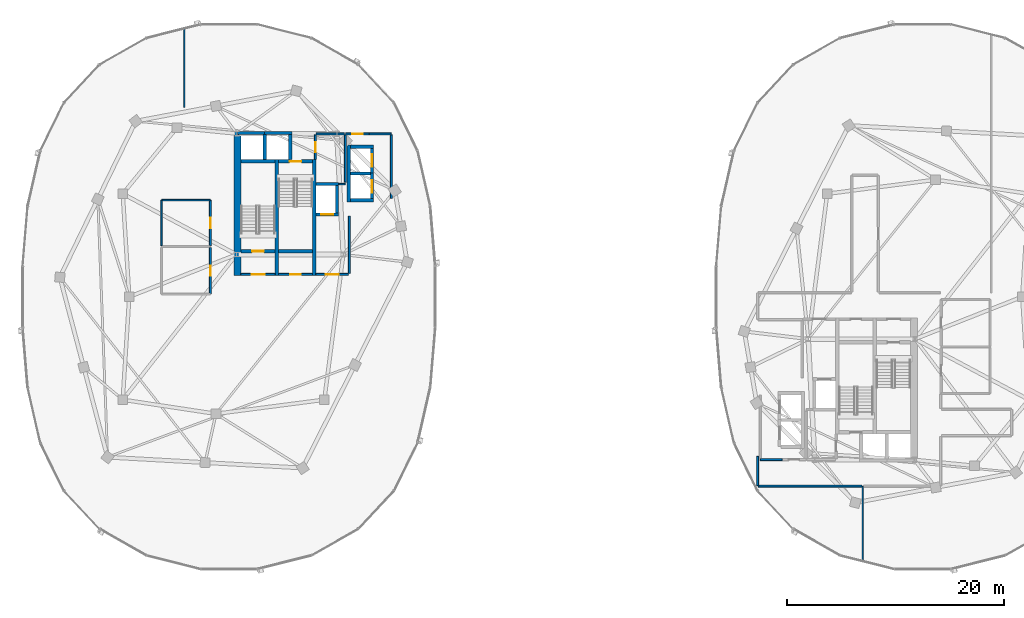
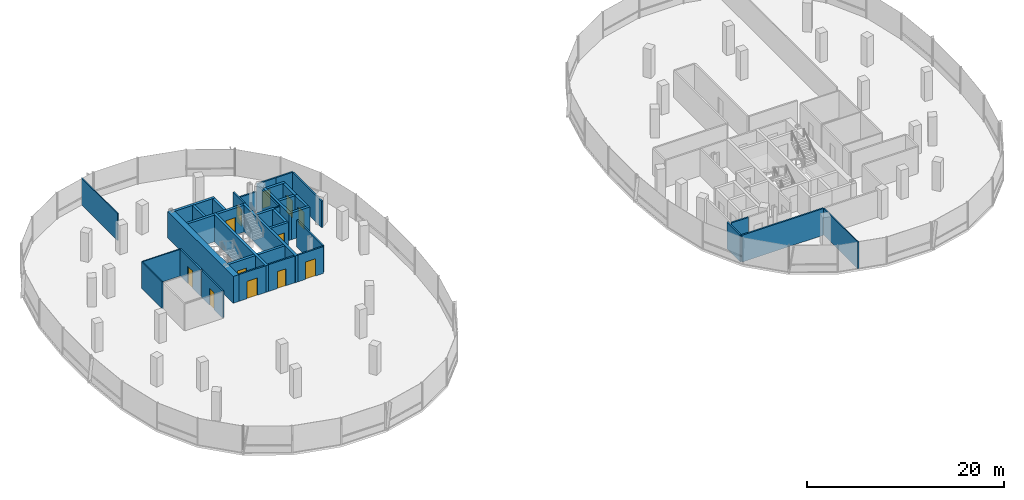
# One storey, part 15 of 24: 40 walls, 12 doors, 12 openings.
"""IFC4 building model written with IfcOpenShell, lengths in metres."""

import ifcopenshell
import ifcopenshell.guid

model = None  # the IFC model being written
_history = None  # IfcOwnerHistory: only IFC2X3 demands one
_inside = {}  # id of a spatial element -> (the spatial element, [elements in it])
_under = {}  # id of a project, library or spatial element -> (it, [spatial elements below it])
_declared = {}  # id of a project -> (the project, [libraries it declares])
_typed = {}  # id of a type object -> (the type object, [elements of that type])
_made_of = {}  # id of a material, layer set ... -> (it, [elements and type objects made of it])


def new_model(schema):
    """Start an empty IFC model of exactly this schema.

    Asked for "IFC4X3", IfcOpenShell would pick the latest addendum, in which some entities
    have other attributes; the version numbers below select the first issue.
    IFC2X3 requires an IfcOwnerHistory on every rooted entity: one is made here for all.
    """
    global model, _history
    if schema == "IFC4X3":
        model = ifcopenshell.file(schema_version=(4, 3, 0, 0))
    else:
        model = ifcopenshell.file(schema=schema)
    _inside.clear()
    _under.clear()
    _declared.clear()
    _typed.clear()
    _made_of.clear()
    _history = None
    if model.schema == "IFC2X3":
        org = make("IfcOrganization", Name="unknown")
        user = make(
            "IfcPersonAndOrganization",
            ThePerson=make("IfcPerson", FamilyName="unknown"),
            TheOrganization=org,
        )
        app = make(
            "IfcApplication",
            ApplicationDeveloper=org,
            Version="unknown",
            ApplicationFullName="unknown",
            ApplicationIdentifier="unknown",
        )
        _history = make(
            "IfcOwnerHistory",
            OwningUser=user,
            OwningApplication=app,
            ChangeAction="ADDED",
            CreationDate=0,
        )
    return model


def make(cls, **values):
    """One entity of the class cls with the attributes given. An attribute that is None is left unset."""
    return model.create_entity(
        cls, **{name: value for name, value in values.items() if value is not None}
    )


def rooted(cls, **values):
    """An entity with a GlobalId (a new one), such as an element, a storey or a relation."""
    return make(cls, GlobalId=ifcopenshell.guid.new(), OwnerHistory=_history, **values)


def si_unit(unit_type, name, prefix=None):
    """IfcSIUnit, for example si_unit("LENGTHUNIT", "METRE", prefix="MILLI")."""
    return make("IfcSIUnit", UnitType=unit_type, Prefix=prefix, Name=name)


def assignment(units):
    """IfcUnitAssignment: the units of a project."""
    return None if units is None else make("IfcUnitAssignment", Units=units)


def point(xyz):
    """IfcCartesianPoint."""
    return None if xyz is None else make("IfcCartesianPoint", Coordinates=xyz)


def direction(xyz):
    """IfcDirection."""
    return None if xyz is None else make("IfcDirection", DirectionRatios=xyz)


def frame(location, z_axis=None, x_axis=None):
    """IfcAxis2Placement3D, a coordinate frame: its origin and axes. An axis left out is left unset."""
    return make(
        "IfcAxis2Placement3D",
        Location=point(location),
        Axis=direction(z_axis),
        RefDirection=direction(x_axis),
    )


def frame_2d(location, x_axis=None):
    """IfcAxis2Placement2D, a coordinate frame in the plane: its origin and x axis."""
    return make(
        "IfcAxis2Placement2D", Location=point(location), RefDirection=direction(x_axis)
    )


def origin():
    """The frame at (0, 0, 0) with its axes left unset."""
    return frame((0.0, 0.0, 0.0))


def place(relative_to, where):
    """IfcLocalPlacement: puts the frame where relative to a parent placement (None: the world)."""
    return make(
        "IfcLocalPlacement", PlacementRelTo=relative_to, RelativePlacement=where
    )


def context(
    kind, dimensions, precision=None, world=None, true_north=None, identifier=None
):
    """IfcGeometricRepresentationContext, for example the 3D "Model" context."""
    return make(
        "IfcGeometricRepresentationContext",
        ContextIdentifier=identifier,
        ContextType=kind,
        CoordinateSpaceDimension=dimensions,
        Precision=precision,
        WorldCoordinateSystem=world,
        TrueNorth=true_north,
    )


def subcontext(parent, identifier, kind, view, scale=None):
    """IfcGeometricRepresentationSubContext, for example "Body" below "Model"."""
    return make(
        "IfcGeometricRepresentationSubContext",
        ContextIdentifier=identifier,
        ContextType=kind,
        ParentContext=parent,
        TargetScale=scale,
        TargetView=view,
    )


def project(units=None, contexts=None):
    """IfcProject with its units and contexts."""
    return rooted(
        "IfcProject",
        Name="project",
        RepresentationContexts=contexts,
        UnitsInContext=assignment(units),
    )


def spatial(cls, under=None, at=None, **own):
    """A site, building, storey or space (cls), placed at a placement, below another one or the project."""
    s = rooted(cls, ObjectPlacement=at, **own)
    if under is not None:
        _under.setdefault(under.id(), (under, []))[1].append(s)
    return s


def profile(cls, at=None, kind="AREA", **sizes):
    """A parametric profile (cls). Its sizes go by their IFC names, for example OverallWidth=200.0."""
    return make(cls, ProfileType=kind, Position=at, **sizes)


def rectangle(**sizes):
    """IfcRectangleProfileDef."""
    return profile("IfcRectangleProfileDef", **sizes)


def extrude(swept, where, along, depth):
    """IfcExtrudedAreaSolid: the profile swept, set in the frame where, extruded along a direction by depth."""
    return make(
        "IfcExtrudedAreaSolid",
        SweptArea=swept,
        Position=where,
        ExtrudedDirection=direction(along),
        Depth=depth,
    )


def shape(context_of_items, identifier, shape_type, items):
    """IfcShapeRepresentation: the items that make up one representation, for example the "Body"."""
    return make(
        "IfcShapeRepresentation",
        ContextOfItems=context_of_items,
        RepresentationIdentifier=identifier,
        RepresentationType=shape_type,
        Items=items,
    )


def material(Name=None, Category=None):
    """IfcMaterial."""
    return make("IfcMaterial", Name=Name, Category=Category)


def layer(
    of_material, thickness, ventilated=None, Name=None, Category=None, Priority=None
):
    """IfcMaterialLayer: one layer of a wall or slab, of a material (None: an air gap)."""
    return make(
        "IfcMaterialLayer",
        Material=of_material,
        LayerThickness=thickness,
        IsVentilated=ventilated,
        Name=Name,
        Category=Category,
        Priority=Priority,
    )


def layer_set(layers, Name=None):
    """IfcMaterialLayerSet."""
    return make("IfcMaterialLayerSet", MaterialLayers=layers, LayerSetName=Name)


def made_of(thing, what):
    """Note that an element or type object is made of a material, layer set ...; save() writes the relation."""
    if what is not None:
        _made_of.setdefault(what.id(), (what, []))[1].append(thing)
    return thing


def type_object(cls, material=None, **own):
    """A type object (cls), such as IfcWallType, which elements share."""
    return made_of(rooted(cls, **own), material)


def element(
    cls,
    number,
    at=None,
    inside=None,
    cuts=None,
    type_object=None,
    material=None,
    context=None,
    identifier="Body",
    shape_type=None,
    held_by="IfcProductDefinitionShape",
    body=None,
    shapes=None,
    **own,
):
    """One element of the class cls, such as IfcWall. Its Tag is "e" and its number.

    at: its placement. inside: the storey or other place that contains it. cuts: it is an
    opening in that element (IfcRelVoidsElement). A single representation is given by context,
    identifier, shape_type and body (its items); several are given by shapes. held_by: the class
    of the entity that holds the representations. save() writes the other relations.
    """
    e = rooted(cls, Tag="e%d" % number, ObjectPlacement=at, **own)
    if body is not None:
        shapes = [shape(context, identifier, shape_type, body)]
    if shapes is not None:
        e.Representation = make(held_by, Representations=shapes)
    if inside is not None:
        _inside.setdefault(inside.id(), (inside, []))[1].append(e)
    if cuts is not None:
        rooted(
            "IfcRelVoidsElement", RelatingBuildingElement=cuts, RelatedOpeningElement=e
        )
    if type_object is not None:
        _typed.setdefault(type_object.id(), (type_object, []))[1].append(e)
    return made_of(e, material)


def fill(opening, filler):
    """IfcRelFillsElement: the door or window that sits in an opening."""
    return rooted(
        "IfcRelFillsElement",
        RelatingOpeningElement=opening,
        RelatedBuildingElement=filler,
    )


def aggregate(whole, parts):
    """IfcRelAggregates: a whole, such as a stair, and the parts it consists of."""
    return rooted("IfcRelAggregates", RelatingObject=whole, RelatedObjects=parts)


def save(model, path):
    """Write the relations noted so far, then the file.

    IfcRelAggregates (storeys below a building ...), IfcRelContainedInSpatialStructure (elements
    in a storey), IfcRelDefinesByType, IfcRelAssociatesMaterial and IfcRelDeclares: one each for
    every whole, place, type object, material and project.
    """
    for whole, parts in _under.values():
        aggregate(whole, parts)
    for where, things in _inside.values():
        rooted(
            "IfcRelContainedInSpatialStructure",
            RelatedElements=things,
            RelatingStructure=where,
        )
    for kind, things in _typed.values():
        rooted("IfcRelDefinesByType", RelatedObjects=things, RelatingType=kind)
    for what, things in _made_of.values():
        rooted("IfcRelAssociatesMaterial", RelatedObjects=things, RelatingMaterial=what)
    for by, libraries in _declared.values():
        rooted("IfcRelDeclares", RelatingContext=by, RelatedDefinitions=libraries)
    model.write(path)


model = new_model("IFC4")

# Units and contexts
model_context = context("Model", 3, precision=1e-05, world=origin(), true_north=direction((0.0, 1.0)))
body_context = subcontext(model_context, "Body", "Model", "MODEL_VIEW")
ifc_project = project(units=[si_unit("LENGTHUNIT", "METRE"), si_unit("AREAUNIT", "SQUARE_METRE"), si_unit("VOLUMEUNIT", "CUBIC_METRE"), si_unit("PLANEANGLEUNIT", "RADIAN"), si_unit("MASSUNIT", "GRAM", prefix="KILO"), si_unit("THERMODYNAMICTEMPERATUREUNIT", "KELVIN"), si_unit("POWERUNIT", "WATT")], contexts=[model_context])

# Site, building, storey
site_placement = place(None, origin())
site = spatial("IfcSite", under=ifc_project, at=site_placement, CompositionType="ELEMENT")
building_placement = place(site_placement, origin())
building = spatial("IfcBuilding", under=site, at=building_placement, Name="Cundina Bronze Exchange", CompositionType="ELEMENT")
storey_placement = place(building_placement, frame((0.0, 0.0, 231.39990234375)))
storey = spatial("IfcBuildingStorey", under=building, at=storey_placement, Name="L61", CompositionType="ELEMENT", Elevation=231.39990234375)

# Wall
ifc_material_1 = material(Name="Gypsum Fireboard Partition EI120")
ifc_layer_1 = layer(ifc_material_1, 0.179931640625, Name="Gypsum Fireboard Partition EI120")
ifc_layer_set_1 = layer_set([ifc_layer_1], Name="Gypsum Fireboard Partition EI120")
wall_type_1 = type_object("IfcWallType", Name="WL-COR-180", PredefinedType="PARTITIONING", material=ifc_layer_set_1)
wall_1_placement = place(storey_placement, frame((-20.889892578125, 2.14990234375, 0.0), z_axis=(0.0, 0.0, 1.0), x_axis=(0.0, 1.0, 0.0)))
element("IfcWall", 1, at=wall_1_placement, inside=storey, type_object=wall_type_1, Name="L61 W Firefighting Lobby Side Wall", PredefinedType="PARTITIONING", context=body_context, shape_type="SweptSolid", body=[
    extrude(rectangle(XDim=5.300048828125, YDim=0.179931640625, at=frame_2d((2.64990234375, 0.0))), origin(), (0.0, 0.0, 1.0), 3.320068359375),
])

# Wall, opening, door
wall_2_placement = place(storey_placement, frame((-23.97998046875, 2.06005859375, 0.0), z_axis=(0.0, 0.0, 1.0), x_axis=(1.0, 0.0, 0.0)))
wall_2 = element("IfcWall", 2, at=wall_2_placement, inside=storey, type_object=wall_type_1, Name="L61 W Firefighting Lobby Exit Wall", PredefinedType="PARTITIONING", context=body_context, shape_type="SweptSolid", body=[
    extrude(rectangle(XDim=3.0, YDim=0.179931640625, at=frame_2d((1.5, 0.0))), origin(), (0.0, 0.0, 1.0), 3.320068359375),
])
opening_1_placement = place(wall_2_placement, frame((0.89990234375, 0.0, 0.0)))
opening_1 = element("IfcOpeningElement", 3, at=opening_1_placement, cuts=wall_2, Name="Opening DF-01", PredefinedType="OPENING", context=body_context, shape_type="SweptSolid", body=[
    extrude(rectangle(XDim=1.199951171875, YDim=2.14990234375, at=frame_2d((0.60009765625, 1.074951171875))), frame((0.0, 0.099853515625, 0.0), z_axis=(0.0, -1.0, 0.0), x_axis=(1.0, 0.0, 0.0)), (0.0, 0.0, 1.0), 0.199951171875),
])
ifc_material_2 = material(Name="Steel ASTM A36 Painted", Category="steel")
door_type_1 = type_object("IfcDoorType", Name="DR-FFL-1200", OperationType="NOTDEFINED", PredefinedType="DOOR", material=ifc_material_2)
door_1_placement = place(opening_1_placement, origin())
door_1 = element("IfcDoor", 4, at=door_1_placement, inside=storey, type_object=door_type_1, Name="L61 W Firefighting Lobby Door", OperationType="SINGLE_SWING_RIGHT", OverallHeight=2.14990234375, OverallWidth=1.199951171875, PredefinedType="DOOR", context=body_context, shape_type="SweptSolid", body=[
    extrude(rectangle(XDim=1.199951171875, YDim=2.14990234375, at=frame_2d((0.60009765625, 1.074951171875))), frame((0.0, 0.02490234375, 0.0), z_axis=(0.0, -1.0, 0.0), x_axis=(1.0, 0.0, 0.0)), (0.0, 0.0, 1.0), 0.050048828125),
])
fill(opening_1, door_1)

wall_3_placement = place(storey_placement, frame((-30.89990234375, 2.06005859375, 0.0), z_axis=(0.0, 0.0, 1.0), x_axis=(1.0, 0.0, 0.0)))
wall_3 = element("IfcWall", 5, at=wall_3_placement, inside=storey, type_object=wall_type_1, Name="L61 W Stair Vestibule Exit Wall", PredefinedType="PARTITIONING", context=body_context, shape_type="SweptSolid", body=[
    extrude(rectangle(XDim=3.159912109375, YDim=0.179931640625, at=frame_2d((1.580078125, 0.0))), origin(), (0.0, 0.0, 1.0), 3.320068359375),
])
opening_2_placement = place(wall_3_placement, frame((0.97998046875, 0.0, 0.0)))
opening_2 = element("IfcOpeningElement", 6, at=opening_2_placement, cuts=wall_3, Name="Opening DF-01", PredefinedType="OPENING", context=body_context, shape_type="SweptSolid", body=[
    extrude(rectangle(XDim=1.199951171875, YDim=2.14990234375, at=frame_2d((0.60009765625, 1.074951171875))), frame((0.0, 0.099853515625, 0.0), z_axis=(0.0, -1.0, 0.0), x_axis=(1.0, 0.0, 0.0)), (0.0, 0.0, 1.0), 0.199951171875),
])
door_2_placement = place(opening_2_placement, origin())
door_2 = element("IfcDoor", 7, at=door_2_placement, inside=storey, type_object=door_type_1, Name="L61 W Stair Vestibule Door", OperationType="SINGLE_SWING_LEFT", OverallHeight=2.14990234375, OverallWidth=1.199951171875, PredefinedType="DOOR", context=body_context, shape_type="SweptSolid", body=[
    extrude(rectangle(XDim=1.199951171875, YDim=2.14990234375, at=frame_2d((0.60009765625, 1.074951171875))), frame((0.0, 0.02490234375, 0.0), z_axis=(0.0, -1.0, 0.0), x_axis=(1.0, 0.0, 0.0)), (0.0, 0.0, 1.0), 0.050048828125),
])
fill(opening_2, door_2)

# Wall
wall_4_placement = place(storey_placement, frame((-17.02001953125, 9.070068359375, 0.0), z_axis=(0.0, 0.0, 1.0), x_axis=(0.0, 1.0, 0.0)))
element("IfcWall", 8, at=wall_4_placement, inside=storey, type_object=wall_type_1, Name="L61 Interior Partition 001", PredefinedType="PARTITIONING", context=body_context, shape_type="SweptSolid", body=[
    extrude(rectangle(XDim=5.85986328125, YDim=0.179931640625, at=frame_2d((2.929931640625, 0.0))), origin(), (0.0, 0.0, 1.0), 3.320068359375),
])

# Wall, opening, door
wall_5_placement = place(storey_placement, frame((-21.22998046875, 15.030029296875, 0.0), z_axis=(0.0, 0.0, 1.0), x_axis=(1.0, 0.0, 0.0)))
wall_5 = element("IfcWall", 9, at=wall_5_placement, inside=storey, type_object=wall_type_1, Name="L61 Interior Partition 002", PredefinedType="PARTITIONING", context=body_context, shape_type="SweptSolid", body=[
    extrude(rectangle(XDim=2.159912109375, YDim=0.179931640625, at=frame_2d((1.080078125, 0.0))), origin(), (0.0, 0.0, 1.0), 3.320068359375),
])
opening_3_placement = place(wall_5_placement, frame((0.60498046875, 0.0, 0.0)))
opening_3 = element("IfcOpeningElement", 10, at=opening_3_placement, cuts=wall_5, Name="Opening DW-01", PredefinedType="OPENING", context=body_context, shape_type="SweptSolid", body=[
    extrude(rectangle(XDim=0.949951171875, YDim=2.10009765625, at=frame_2d((0.47509765625, 1.050048828125))), frame((0.0, 0.099853515625, 0.0), z_axis=(0.0, -1.0, 0.0), x_axis=(1.0, 0.0, 0.0)), (0.0, 0.0, 1.0), 0.199951171875),
])
ifc_material_3 = material(Name="Solid Andean Oak Timber Grade A", Category="wood")
door_type_2 = type_object("IfcDoorType", Name="DR-WC-950", OperationType="NOTDEFINED", PredefinedType="DOOR", material=ifc_material_3)
door_3_placement = place(opening_3_placement, origin())
door_3 = element("IfcDoor", 11, at=door_3_placement, inside=storey, type_object=door_type_2, Name="L61 Interior Door 002", OperationType="SINGLE_SWING_LEFT", OverallHeight=2.10009765625, OverallWidth=0.949951171875, PredefinedType="DOOR", context=body_context, shape_type="SweptSolid", body=[
    extrude(rectangle(XDim=0.949951171875, YDim=2.10009765625, at=frame_2d((0.47509765625, 1.050048828125))), frame((0.0, 0.02490234375, 0.0), z_axis=(0.0, -1.0, 0.0), x_axis=(1.0, 0.0, 0.0)), (0.0, 0.0, 1.0), 0.050048828125),
])
fill(opening_3, door_3)

# Walls
wall_6_placement = place(storey_placement, frame((-19.030029296875, 15.030029296875, 0.0), z_axis=(0.0, 0.0, 1.0), x_axis=(1.0, 0.0, 0.0)))
element("IfcWall", 12, at=wall_6_placement, inside=storey, type_object=wall_type_1, Name="L61 Interior Partition 003", PredefinedType="PARTITIONING", context=body_context, shape_type="SweptSolid", body=[
    extrude(rectangle(XDim=1.989990234375, YDim=0.179931640625, at=frame_2d((0.9951171875, 0.0))), origin(), (0.0, 0.0, 1.0), 3.320068359375),
])
wall_7_placement = place(storey_placement, frame((-21.25, 10.570068359375, 0.0), z_axis=(0.0, 0.0, 1.0), x_axis=(0.0, 1.0, 0.0)))
element("IfcWall", 13, at=wall_7_placement, inside=storey, type_object=wall_type_1, Name="L61 Interior Partition 005", PredefinedType="PARTITIONING", context=body_context, shape_type="SweptSolid", body=[
    extrude(rectangle(XDim=4.35986328125, YDim=0.179931640625, at=frame_2d((2.179931640625, 0.0))), origin(), (0.0, 0.0, 1.0), 3.320068359375),
])
wall_8_placement = place(storey_placement, frame((-23.9599609375, 15.030029296875, 0.0), z_axis=(0.0, 0.0, 1.0), x_axis=(1.0, 0.0, 0.0)))
element("IfcWall", 14, at=wall_8_placement, inside=storey, type_object=wall_type_1, Name="L61 Interior Partition 006", PredefinedType="PARTITIONING", context=body_context, shape_type="SweptSolid", body=[
    extrude(rectangle(XDim=2.60986328125, YDim=0.179931640625, at=frame_2d((1.304931640625, 0.0))), origin(), (0.0, 0.0, 1.0), 2.39306640625),
])

# Wall, opening, door
wall_9_placement = place(storey_placement, frame((-27.419921875, 2.070068359375, 0.0), z_axis=(0.0, 0.0, 1.0), x_axis=(1.0, 0.0, 0.0)))
wall_9 = element("IfcWall", 15, at=wall_9_placement, inside=storey, type_object=wall_type_1, Name="L61 Interior Partition 007", PredefinedType="PARTITIONING", context=body_context, shape_type="SweptSolid", body=[
    extrude(rectangle(XDim=3.119873046875, YDim=0.179931640625, at=frame_2d((1.56005859375, 0.0))), origin(), (0.0, 0.0, 1.0), 3.320068359375),
])
opening_4_placement = place(wall_9_placement, frame((1.0849609375, 0.0, 0.0)))
opening_4 = element("IfcOpeningElement", 16, at=opening_4_placement, cuts=wall_9, Name="Opening DW-01", PredefinedType="OPENING", context=body_context, shape_type="SweptSolid", body=[
    extrude(rectangle(XDim=0.949951171875, YDim=2.10009765625, at=frame_2d((0.47509765625, 1.050048828125))), frame((0.0, 0.099853515625, 0.0), z_axis=(0.0, -1.0, 0.0), x_axis=(1.0, 0.0, 0.0)), (0.0, 0.0, 1.0), 0.199951171875),
])
door_4_placement = place(opening_4_placement, origin())
door_4 = element("IfcDoor", 17, at=door_4_placement, inside=storey, type_object=door_type_2, Name="L61 Interior Door 007", OperationType="SINGLE_SWING_LEFT", OverallHeight=2.10009765625, OverallWidth=0.949951171875, PredefinedType="DOOR", context=body_context, shape_type="SweptSolid", body=[
    extrude(rectangle(XDim=0.949951171875, YDim=2.10009765625, at=frame_2d((0.47509765625, 1.050048828125))), frame((0.0, 0.02490234375, 0.0), z_axis=(0.0, -1.0, 0.0), x_axis=(1.0, 0.0, 0.0)), (0.0, 0.0, 1.0), 0.050048828125),
])
fill(opening_4, door_4)

wall_10_placement = place(storey_placement, frame((-24.02001953125, 12.669921875, 0.0), z_axis=(0.0, 0.0, 1.0), x_axis=(0.0, 1.0, 0.0)))
wall_10 = element("IfcWall", 18, at=wall_10_placement, inside=storey, type_object=wall_type_1, Name="L61 Interior Partition 008", PredefinedType="PARTITIONING", context=body_context, shape_type="SweptSolid", body=[
    extrude(rectangle(XDim=2.260009765625, YDim=0.179931640625, at=frame_2d((1.1298828125, 0.0))), origin(), (0.0, 0.0, 1.0), 3.320068359375),
])
opening_5_placement = place(wall_10_placement, frame((0.655029296875, 0.0, 0.0)))
opening_5 = element("IfcOpeningElement", 19, at=opening_5_placement, cuts=wall_10, Name="Opening DW-01", PredefinedType="OPENING", context=body_context, shape_type="SweptSolid", body=[
    extrude(rectangle(XDim=0.949951171875, YDim=2.10009765625, at=frame_2d((0.47509765625, 1.050048828125))), frame((0.0, 0.099853515625, 0.0), z_axis=(0.0, -1.0, 0.0), x_axis=(1.0, 0.0, 0.0)), (0.0, 0.0, 1.0), 0.199951171875),
])
door_5_placement = place(opening_5_placement, origin())
door_5 = element("IfcDoor", 20, at=door_5_placement, inside=storey, type_object=door_type_2, Name="L61 Interior Door 008", OperationType="SINGLE_SWING_LEFT", OverallHeight=2.10009765625, OverallWidth=0.949951171875, PredefinedType="DOOR", context=body_context, shape_type="SweptSolid", body=[
    extrude(rectangle(XDim=0.949951171875, YDim=2.10009765625, at=frame_2d((0.47509765625, 1.050048828125))), frame((0.0, 0.02490234375, 0.0), z_axis=(0.0, -1.0, 0.0), x_axis=(1.0, 0.0, 0.0)), (0.0, 0.0, 1.0), 0.050048828125),
])
fill(opening_5, door_5)

wall_11_placement = place(storey_placement, frame((-33.719970703125, 0.27001953125, 0.0), z_axis=(0.0, 0.0, 1.0), x_axis=(0.0, 1.0, 0.0)))
wall_11 = element("IfcWall", 21, at=wall_11_placement, inside=storey, type_object=wall_type_1, Name="L61 Interior Partition 014", PredefinedType="PARTITIONING", context=body_context, shape_type="SweptSolid", body=[
    extrude(rectangle(XDim=4.260009765625, YDim=0.179931640625, at=frame_2d((2.1298828125, 0.0))), origin(), (0.0, 0.0, 1.0), 3.320068359375),
])
opening_6_placement = place(wall_11_placement, frame((1.655029296875, 0.0, 0.0)))
opening_6 = element("IfcOpeningElement", 22, at=opening_6_placement, cuts=wall_11, Name="Opening DW-01", PredefinedType="OPENING", context=body_context, shape_type="SweptSolid", body=[
    extrude(rectangle(XDim=0.949951171875, YDim=2.10009765625, at=frame_2d((0.47509765625, 1.050048828125))), frame((0.0, 0.099853515625, 0.0), z_axis=(0.0, -1.0, 0.0), x_axis=(1.0, 0.0, 0.0)), (0.0, 0.0, 1.0), 0.199951171875),
])
door_6_placement = place(opening_6_placement, origin())
door_6 = element("IfcDoor", 23, at=door_6_placement, inside=storey, type_object=door_type_2, Name="L61 Interior Door 014", OperationType="SINGLE_SWING_LEFT", OverallHeight=2.10009765625, OverallWidth=0.949951171875, PredefinedType="DOOR", context=body_context, shape_type="SweptSolid", body=[
    extrude(rectangle(XDim=0.949951171875, YDim=2.10009765625, at=frame_2d((0.47509765625, 1.050048828125))), frame((0.0, 0.02490234375, 0.0), z_axis=(0.0, -1.0, 0.0), x_axis=(1.0, 0.0, 0.0)), (0.0, 0.0, 1.0), 0.050048828125),
])
fill(opening_6, door_6)

wall_12_placement = place(storey_placement, frame((-33.719970703125, 4.72998046875, 0.0), z_axis=(0.0, 0.0, 1.0), x_axis=(0.0, 1.0, 0.0)))
wall_12 = element("IfcWall", 24, at=wall_12_placement, inside=storey, type_object=wall_type_1, Name="L61 Interior Partition 015", PredefinedType="PARTITIONING", context=body_context, shape_type="SweptSolid", body=[
    extrude(rectangle(XDim=4.159912109375, YDim=0.179931640625, at=frame_2d((2.080078125, 0.0))), origin(), (0.0, 0.0, 1.0), 3.320068359375),
])
opening_7_placement = place(wall_12_placement, frame((1.580078125, 0.0, 0.0)))
opening_7 = element("IfcOpeningElement", 25, at=opening_7_placement, cuts=wall_12, Name="Opening DO-01", PredefinedType="OPENING", context=body_context, shape_type="SweptSolid", body=[
    extrude(rectangle(XDim=1.0, YDim=2.14990234375, at=frame_2d((0.5, 1.074951171875))), frame((0.0, 0.099853515625, 0.0), z_axis=(0.0, -1.0, 0.0), x_axis=(1.0, 0.0, 0.0)), (0.0, 0.0, 1.0), 0.199951171875),
])
door_type_3 = type_object("IfcDoorType", Name="DR-OFF-1000", OperationType="NOTDEFINED", PredefinedType="DOOR", material=ifc_material_3)
door_7_placement = place(opening_7_placement, origin())
door_7 = element("IfcDoor", 26, at=door_7_placement, inside=storey, type_object=door_type_3, Name="L61 Interior Door 015", OperationType="SINGLE_SWING_LEFT", OverallHeight=2.14990234375, OverallWidth=1.0, PredefinedType="DOOR", context=body_context, shape_type="SweptSolid", body=[
    extrude(rectangle(XDim=1.0, YDim=2.14990234375, at=frame_2d((0.5, 1.074951171875))), frame((0.0, 0.02490234375, 0.0), z_axis=(0.0, -1.0, 0.0), x_axis=(1.0, 0.0, 0.0)), (0.0, 0.0, 1.0), 0.050048828125),
])
fill(opening_7, door_7)

# Walls
wall_13_placement = place(storey_placement, frame((17.0400390625, -15.030029296875, 0.0), z_axis=(0.0, 0.0, 1.0), x_axis=(1.0, 0.0, 0.0)))
element("IfcWall", 27, at=wall_13_placement, inside=storey, type_object=wall_type_1, Name="L61 Interior Partition 018", PredefinedType="PARTITIONING", context=body_context, shape_type="SweptSolid", body=[
    extrude(rectangle(XDim=1.989990234375, YDim=0.179931640625, at=frame_2d((0.9951171875, 0.0))), origin(), (0.0, 0.0, 1.0), 3.320068359375),
])
wall_14_placement = place(storey_placement, frame((16.821533203125, -17.469970703125, 0.0), z_axis=(0.0, 0.0, 1.0), x_axis=(1.0, 0.0, 0.0)))
element("IfcWall", 28, at=wall_14_placement, inside=storey, type_object=wall_type_1, Name="L61 Interior Partition 036", PredefinedType="PARTITIONING", context=body_context, shape_type="SweptSolid", body=[
    extrude(rectangle(XDim=9.568359375, YDim=0.179931640625, at=frame_2d((4.7841796875, 0.0))), origin(), (0.0, 0.0, 1.0), 3.320068359375),
])
wall_15_placement = place(storey_placement, frame((16.780029296875, -14.721435546875, 0.0), z_axis=(0.0, 0.0, 1.0), x_axis=(0.0, -1.0, 0.0)))
element("IfcWall", 29, at=wall_15_placement, inside=storey, type_object=wall_type_1, Name="L61 Interior Partition 044", PredefinedType="PARTITIONING", context=body_context, shape_type="SweptSolid", body=[
    extrude(rectangle(XDim=2.70703125, YDim=0.179931640625, at=frame_2d((1.353515625, 0.0))), origin(), (0.0, 0.0, 1.0), 3.320068359375),
])
ifc_material_4 = material(Name="Concrete C50/60", Category="concrete")
ifc_layer_2 = layer(ifc_material_4, 0.64990234375, Name="Concrete C50/60", Category="concrete")
ifc_layer_set_2 = layer_set([ifc_layer_2], Name="Concrete C50/60")
wall_type_2 = type_object("IfcWallType", Name="WL-CORE-650", PredefinedType="SHEAR", material=ifc_layer_set_2)
wall_16_placement = place(storey_placement, frame((-31.22509765625, 1.969970703125, 0.0), z_axis=(0.0, 0.0, 1.0), x_axis=(0.0, 1.0, 0.0)))
element("IfcWall", 30, at=wall_16_placement, inside=storey, type_object=wall_type_2, Name="L61 W Primary Core Shear Spine Wall", PredefinedType="SHEAR", context=body_context, shape_type="SweptSolid", body=[
    extrude(rectangle(XDim=13.330078125, YDim=0.64990234375, at=frame_2d((6.6650390625, 0.0))), origin(), (0.0, 0.0, 1.0), 3.320068359375),
])
ifc_material_5 = material(Name="Gypsum Acoustic Partition EI60")
ifc_layer_3 = layer(ifc_material_5, 0.125, Name="Gypsum Acoustic Partition EI60")
ifc_layer_set_3 = layer_set([ifc_layer_3], Name="Gypsum Acoustic Partition EI60")
wall_type_3 = type_object("IfcWallType", Name="WL-OFF-125", PredefinedType="PARTITIONING", material=ifc_layer_set_3)
wall_17_placement = place(storey_placement, frame((-36.1201171875, 17.469970703125, 0.0), z_axis=(0.0, 0.0, 1.0), x_axis=(0.0, 1.0, 0.0)))
element("IfcWall", 31, at=wall_17_placement, inside=storey, type_object=wall_type_3, Name="L61 Interior Partition 016", PredefinedType="PARTITIONING", context=body_context, shape_type="SweptSolid", body=[
    extrude(rectangle(XDim=7.34375, YDim=0.125, at=frame_2d((3.671875, 0.0))), origin(), (0.0, 0.0, 1.0), 3.320068359375),
])
wall_18_placement = place(storey_placement, frame((26.47998046875, -24.461181640625, 0.0), z_axis=(0.0, 0.0, 1.0), x_axis=(0.0, 1.0, 0.0)))
element("IfcWall", 32, at=wall_18_placement, inside=storey, type_object=wall_type_3, Name="L61 Interior Partition 033", PredefinedType="PARTITIONING", context=body_context, shape_type="SweptSolid", body=[
    extrude(rectangle(XDim=6.961181640625, YDim=0.125, at=frame_2d((3.48046875, 0.0))), origin(), (0.0, 0.0, 1.0), 3.320068359375),
])
ifc_layer_4 = layer(ifc_material_4, 0.300048828125, Name="Concrete C50/60", Category="concrete")
ifc_layer_set_4 = layer_set([ifc_layer_4], Name="Concrete C50/60")
wall_type_4 = type_object("IfcWallType", Name="WL-SHFT-300", PredefinedType="SHEAR", material=ifc_layer_set_4)
for number, where, z_axis, x_axis, name in (
    (33, (-27.590087890625, 1.969970703125, 0.0), (0.0, 0.0, 1.0), (0.0, 1.0, 0.0), "L61 W Stair Shaft Dividing Shear Wall"),
    (34, (-24.1298828125, 1.969970703125, 0.0), (0.0, 0.0, 1.0), (0.0, 1.0, 0.0), "L61 W Stair 2 East Shear Wall"),
):
    element("IfcWall", number, at=place(storey_placement, frame(where, z_axis=z_axis, x_axis=x_axis)), inside=storey, type_object=wall_type_4, Name=name, PredefinedType="SHEAR", context=body_context, shape_type="SweptSolid", body=[
        extrude(rectangle(XDim=10.679931640625, YDim=0.300048828125, at=frame_2d((5.33984375, 0.0))), origin(), (0.0, 0.0, 1.0), 3.320068359375),
    ])

# Wall, opening, door
wall_19_placement = place(storey_placement, frame((-30.89990234375, 4.199951171875, 0.0), z_axis=(0.0, 0.0, 1.0), x_axis=(1.0, 0.0, 0.0)))
wall_19 = element("IfcWall", 35, at=wall_19_placement, inside=storey, type_object=wall_type_4, Name="L61 Stair W1 Landing Wall", PredefinedType="SHEAR", context=body_context, shape_type="SweptSolid", body=[
    extrude(rectangle(XDim=3.159912109375, YDim=0.300048828125, at=frame_2d((1.580078125, 0.0))), origin(), (0.0, 0.0, 1.0), 3.320068359375),
])
opening_8_placement = place(wall_19_placement, frame((1.030029296875, 0.0, 0.0)))
opening_8 = element("IfcOpeningElement", 36, at=opening_8_placement, cuts=wall_19, Name="Opening DS-01", PredefinedType="OPENING", context=body_context, shape_type="SweptSolid", body=[
    extrude(rectangle(XDim=1.10009765625, YDim=2.14990234375, at=frame_2d((0.550048828125, 1.074951171875))), frame((0.0, 0.159912109375, 0.0), z_axis=(0.0, -1.0, 0.0), x_axis=(1.0, 0.0, 0.0)), (0.0, 0.0, 1.0), 0.320068359375),
])
door_type_4 = type_object("IfcDoorType", Name="DR-STR-1100", OperationType="NOTDEFINED", PredefinedType="DOOR", material=ifc_material_2)
door_8_placement = place(opening_8_placement, origin())
door_8 = element("IfcDoor", 37, at=door_8_placement, inside=storey, type_object=door_type_4, Name="L61 Smokeproof Stair W1 Door", OperationType="SINGLE_SWING_RIGHT", OverallHeight=2.14990234375, OverallWidth=1.10009765625, PredefinedType="DOOR", context=body_context, shape_type="SweptSolid", body=[
    extrude(rectangle(XDim=1.10009765625, YDim=2.14990234375, at=frame_2d((0.550048828125, 1.074951171875))), frame((0.0, 0.02490234375, 0.0), z_axis=(0.0, -1.0, 0.0), x_axis=(1.0, 0.0, 0.0)), (0.0, 0.0, 1.0), 0.050048828125),
])
fill(opening_8, door_8)

# Wall
wall_20_placement = place(storey_placement, frame((-30.89990234375, 12.5, 0.0), z_axis=(0.0, 0.0, 1.0), x_axis=(1.0, 0.0, 0.0)))
element("IfcWall", 38, at=wall_20_placement, inside=storey, type_object=wall_type_4, Name="L61 Stair W1 Far Shaft Wall", PredefinedType="SHEAR", context=body_context, shape_type="SweptSolid", body=[
    extrude(rectangle(XDim=3.159912109375, YDim=0.300048828125, at=frame_2d((1.580078125, 0.0))), origin(), (0.0, 0.0, 1.0), 3.320068359375),
])

# Wall, opening, door
wall_21_placement = place(storey_placement, frame((-27.43994140625, 12.5, 0.0), z_axis=(0.0, 0.0, 1.0), x_axis=(1.0, 0.0, 0.0)))
wall_21 = element("IfcWall", 39, at=wall_21_placement, inside=storey, type_object=wall_type_4, Name="L61 Stair W2 Landing Wall", PredefinedType="SHEAR", context=body_context, shape_type="SweptSolid", body=[
    extrude(rectangle(XDim=3.159912109375, YDim=0.300048828125, at=frame_2d((1.580078125, 0.0))), origin(), (0.0, 0.0, 1.0), 3.320068359375),
])
opening_9_placement = place(wall_21_placement, frame((1.030029296875, 0.0, 0.0)))
opening_9 = element("IfcOpeningElement", 40, at=opening_9_placement, cuts=wall_21, Name="Opening DS-01", PredefinedType="OPENING", context=body_context, shape_type="SweptSolid", body=[
    extrude(rectangle(XDim=1.10009765625, YDim=2.14990234375, at=frame_2d((0.550048828125, 1.074951171875))), frame((0.0, 0.159912109375, 0.0), z_axis=(0.0, -1.0, 0.0), x_axis=(1.0, 0.0, 0.0)), (0.0, 0.0, 1.0), 0.320068359375),
])
door_9_placement = place(opening_9_placement, origin())
door_9 = element("IfcDoor", 41, at=door_9_placement, inside=storey, type_object=door_type_4, Name="L61 Smokeproof Stair W2 Door", OperationType="SINGLE_SWING_LEFT", OverallHeight=2.14990234375, OverallWidth=1.10009765625, PredefinedType="DOOR", context=body_context, shape_type="SweptSolid", body=[
    extrude(rectangle(XDim=1.10009765625, YDim=2.14990234375, at=frame_2d((0.550048828125, 1.074951171875))), frame((0.0, 0.02490234375, 0.0), z_axis=(0.0, -1.0, 0.0), x_axis=(1.0, 0.0, 0.0)), (0.0, 0.0, 1.0), 0.050048828125),
])
fill(opening_9, door_9)

# Wall
wall_22_placement = place(storey_placement, frame((-27.43994140625, 4.199951171875, 0.0), z_axis=(0.0, 0.0, 1.0), x_axis=(1.0, 0.0, 0.0)))
element("IfcWall", 42, at=wall_22_placement, inside=storey, type_object=wall_type_4, Name="L61 Stair W2 Far Shaft Wall", PredefinedType="SHEAR", context=body_context, shape_type="SweptSolid", body=[
    extrude(rectangle(XDim=3.159912109375, YDim=0.300048828125, at=frame_2d((1.580078125, 0.0))), origin(), (0.0, 0.0, 1.0), 3.320068359375),
])

# Wall, opening, door
wall_23_placement = place(storey_placement, frame((-23.97998046875, 7.60009765625, 0.0), z_axis=(0.0, 0.0, 1.0), x_axis=(1.0, 0.0, 0.0)))
wall_23 = element("IfcWall", 43, at=wall_23_placement, inside=storey, type_object=wall_type_4, Name="L61 FFL-W Hoistway Front Wall", PredefinedType="SHEAR", context=body_context, shape_type="SweptSolid", body=[
    extrude(rectangle(XDim=2.10009765625, YDim=0.300048828125, at=frame_2d((1.050048828125, 0.0))), origin(), (0.0, 0.0, 1.0), 3.320068359375),
])
opening_10_placement = place(wall_23_placement, frame((0.47509765625, 0.0, 0.0)))
opening_10 = element("IfcOpeningElement", 44, at=opening_10_placement, cuts=wall_23, Name="Opening LD-01", PredefinedType="OPENING", context=body_context, shape_type="SweptSolid", body=[
    extrude(rectangle(XDim=1.14990234375, YDim=2.199951171875, at=frame_2d((0.574951171875, 1.10009765625))), frame((0.0, 0.159912109375, 0.0), z_axis=(0.0, -1.0, 0.0), x_axis=(1.0, 0.0, 0.0)), (0.0, 0.0, 1.0), 0.320068359375),
])
door_type_5 = type_object("IfcDoorType", Name="DR-LND-1150", OperationType="NOTDEFINED", PredefinedType="TRAPDOOR", material=ifc_material_2)
door_10_placement = place(opening_10_placement, origin())
door_10 = element("IfcDoor", 45, at=door_10_placement, inside=storey, type_object=door_type_5, Name="L61 FFL-W Sliding Landing Door", OperationType="SLIDING_TO_LEFT", OverallHeight=2.199951171875, OverallWidth=1.14990234375, PredefinedType="TRAPDOOR", context=body_context, shape_type="SweptSolid", body=[
    extrude(rectangle(XDim=1.14990234375, YDim=2.199951171875, at=frame_2d((0.574951171875, 1.10009765625))), frame((0.0, 0.02490234375, 0.0), z_axis=(0.0, -1.0, 0.0), x_axis=(1.0, 0.0, 0.0)), (0.0, 0.0, 1.0), 0.050048828125),
])
fill(opening_10, door_10)

# Walls
wall_24_placement = place(storey_placement, frame((-23.97998046875, 10.39990234375, 0.0), z_axis=(0.0, 0.0, 1.0), x_axis=(1.0, 0.0, 0.0)))
element("IfcWall", 46, at=wall_24_placement, inside=storey, type_object=wall_type_4, Name="L61 FFL-W Hoistway Back Wall", PredefinedType="SHEAR", context=body_context, shape_type="SweptSolid", body=[
    extrude(rectangle(XDim=2.10009765625, YDim=0.300048828125, at=frame_2d((1.050048828125, 0.0))), origin(), (0.0, 0.0, 1.0), 3.320068359375),
])
for number, where, z_axis, x_axis, name in (
    (47, (-22.030029296875, 7.75, 0.0), (0.0, 0.0, 1.0), (0.0, 1.0, 0.0), "L61 FFL-W Hoistway Side Wall"),
    (48, (-31.199951171875, 15.10009765625, 0.0), (0.0, 0.0, 1.0), (1.0, 0.0, 0.0), "L61 PH-W1 Hoistway Front Wall"),
):
    element("IfcWall", number, at=place(storey_placement, frame(where, z_axis=z_axis, x_axis=x_axis)), inside=storey, type_object=wall_type_4, Name=name, PredefinedType="SHEAR", context=body_context, shape_type="SweptSolid", body=[
        extrude(rectangle(XDim=2.5, YDim=0.300048828125, at=frame_2d((1.25, 0.0))), origin(), (0.0, 0.0, 1.0), 3.320068359375),
    ])
wall_25_placement = place(storey_placement, frame((-28.699951171875, 12.64990234375, 0.0), z_axis=(0.0, 0.0, 1.0), x_axis=(0.0, 1.0, 0.0)))
element("IfcWall", 49, at=wall_25_placement, inside=storey, type_object=wall_type_4, Name="L61 PH-W1 Hoistway Divider Wall", PredefinedType="SHEAR", context=body_context, shape_type="SweptSolid", body=[
    extrude(rectangle(XDim=2.300048828125, YDim=0.300048828125, at=frame_2d((1.14990234375, 0.0))), origin(), (0.0, 0.0, 1.0), 3.320068359375),
])
wall_26_placement = place(storey_placement, frame((-28.699951171875, 15.10009765625, 0.0), z_axis=(0.0, 0.0, 1.0), x_axis=(1.0, 0.0, 0.0)))
element("IfcWall", 50, at=wall_26_placement, inside=storey, type_object=wall_type_4, Name="L61 PH-W2 Hoistway Front Wall", PredefinedType="SHEAR", context=body_context, shape_type="SweptSolid", body=[
    extrude(rectangle(XDim=2.5, YDim=0.300048828125, at=frame_2d((1.25, 0.0))), origin(), (0.0, 0.0, 1.0), 3.320068359375),
])
wall_27_placement = place(storey_placement, frame((-26.35009765625, 12.64990234375, 0.0), z_axis=(0.0, 0.0, 1.0), x_axis=(0.0, 1.0, 0.0)))
element("IfcWall", 51, at=wall_27_placement, inside=storey, type_object=wall_type_4, Name="L61 PH-W2 Hoistway Divider Wall", PredefinedType="SHEAR", context=body_context, shape_type="SweptSolid", body=[
    extrude(rectangle(XDim=2.300048828125, YDim=0.300048828125, at=frame_2d((1.14990234375, 0.0))), origin(), (0.0, 0.0, 1.0), 3.320068359375),
])
wall_28_placement = place(storey_placement, frame((-20.949951171875, 8.75, 0.0), z_axis=(0.0, 0.0, 1.0), x_axis=(0.0, 1.0, 0.0)))
element("IfcWall", 52, at=wall_28_placement, inside=storey, type_object=wall_type_4, Name="L61 W Passenger Bank Hoistway Back Wall", PredefinedType="SHEAR", context=body_context, shape_type="SweptSolid", body=[
    extrude(rectangle(XDim=5.25, YDim=0.300048828125, at=frame_2d((2.625, 0.0))), origin(), (0.0, 0.0, 1.0), 3.320068359375),
])
for number, where, z_axis, x_axis, name in (
    (53, (-20.800048828125, 8.89990234375, 0.0), (0.0, 0.0, 1.0), (1.0, 0.0, 0.0), "L61 W Passenger Bank South Cap Wall"),
    (54, (-20.800048828125, 13.85009765625, 0.0), (0.0, 0.0, 1.0), (1.0, 0.0, 0.0), "L61 W Passenger Bank North Cap Wall"),
):
    element("IfcWall", number, at=place(storey_placement, frame(where, z_axis=z_axis, x_axis=x_axis)), inside=storey, type_object=wall_type_4, Name=name, PredefinedType="SHEAR", context=body_context, shape_type="SweptSolid", body=[
        extrude(rectangle(XDim=2.150146484375, YDim=0.300048828125, at=frame_2d((1.0751953125, 0.0))), origin(), (0.0, 0.0, 1.0), 3.320068359375),
    ])
wall_29_placement = place(storey_placement, frame((-20.800048828125, 11.375, 0.0), z_axis=(0.0, 0.0, 1.0), x_axis=(1.0, 0.0, 0.0)))
element("IfcWall", 55, at=wall_29_placement, inside=storey, type_object=wall_type_4, Name="L61 W Passenger Hoistway Divider 1", PredefinedType="SHEAR", context=body_context, shape_type="SweptSolid", body=[
    extrude(rectangle(XDim=1.85009765625, YDim=0.300048828125, at=frame_2d((0.925048828125, 0.0))), origin(), (0.0, 0.0, 1.0), 3.320068359375),
])

# Wall, opening, door
wall_30_placement = place(storey_placement, frame((-18.800048828125, 8.929931640625, 0.0), z_axis=(0.0, 0.0, 1.0), x_axis=(0.0, 1.0, 0.0)))
wall_30 = element("IfcWall", 56, at=wall_30_placement, inside=storey, type_object=wall_type_4, Name="L61 PM-W2 Hoistway Front Wall", PredefinedType="SHEAR", context=body_context, shape_type="SweptSolid", body=[
    extrude(rectangle(XDim=2.489990234375, YDim=0.300048828125, at=frame_2d((1.2451171875, 0.0))), origin(), (0.0, 0.0, 1.0), 3.320068359375),
])
opening_11_placement = place(wall_30_placement, frame((0.669921875, 0.0, 0.0)))
opening_11 = element("IfcOpeningElement", 57, at=opening_11_placement, cuts=wall_30, Name="Opening LD-01", PredefinedType="OPENING", context=body_context, shape_type="SweptSolid", body=[
    extrude(rectangle(XDim=1.14990234375, YDim=2.199951171875, at=frame_2d((0.574951171875, 1.10009765625))), frame((0.0, 0.159912109375, 0.0), z_axis=(0.0, -1.0, 0.0), x_axis=(1.0, 0.0, 0.0)), (0.0, 0.0, 1.0), 0.320068359375),
])
door_11_placement = place(opening_11_placement, origin())
door_11 = element("IfcDoor", 58, at=door_11_placement, inside=storey, type_object=door_type_5, Name="L61 PM-W2 Sliding Landing Door", OperationType="SLIDING_TO_LEFT", OverallHeight=2.199951171875, OverallWidth=1.14990234375, PredefinedType="TRAPDOOR", context=body_context, shape_type="SweptSolid", body=[
    extrude(rectangle(XDim=1.14990234375, YDim=2.199951171875, at=frame_2d((0.574951171875, 1.10009765625))), frame((0.0, 0.02490234375, 0.0), z_axis=(0.0, -1.0, 0.0), x_axis=(1.0, 0.0, 0.0)), (0.0, 0.0, 1.0), 0.050048828125),
])
fill(opening_11, door_11)

wall_31_placement = place(storey_placement, frame((-18.800048828125, 11.330078125, 0.0), z_axis=(0.0, 0.0, 1.0), x_axis=(0.0, 1.0, 0.0)))
wall_31 = element("IfcWall", 59, at=wall_31_placement, inside=storey, type_object=wall_type_4, Name="L61 PM-W1 Hoistway Front Wall", PredefinedType="SHEAR", context=body_context, shape_type="SweptSolid", body=[
    extrude(rectangle(XDim=2.489990234375, YDim=0.300048828125, at=frame_2d((1.2451171875, 0.0))), origin(), (0.0, 0.0, 1.0), 3.320068359375),
])
opening_12_placement = place(wall_31_placement, frame((0.669921875, 0.0, 0.0)))
opening_12 = element("IfcOpeningElement", 60, at=opening_12_placement, cuts=wall_31, Name="Opening LD-01", PredefinedType="OPENING", context=body_context, shape_type="SweptSolid", body=[
    extrude(rectangle(XDim=1.14990234375, YDim=2.199951171875, at=frame_2d((0.574951171875, 1.10009765625))), frame((0.0, 0.159912109375, 0.0), z_axis=(0.0, -1.0, 0.0), x_axis=(1.0, 0.0, 0.0)), (0.0, 0.0, 1.0), 0.320068359375),
])
door_12_placement = place(opening_12_placement, origin())
door_12 = element("IfcDoor", 61, at=door_12_placement, inside=storey, type_object=door_type_5, Name="L61 PM-W1 Sliding Landing Door", OperationType="SLIDING_TO_LEFT", OverallHeight=2.199951171875, OverallWidth=1.14990234375, PredefinedType="TRAPDOOR", context=body_context, shape_type="SweptSolid", body=[
    extrude(rectangle(XDim=1.14990234375, YDim=2.199951171875, at=frame_2d((0.574951171875, 1.10009765625))), frame((0.0, 0.02490234375, 0.0), z_axis=(0.0, -1.0, 0.0), x_axis=(1.0, 0.0, 0.0)), (0.0, 0.0, 1.0), 0.050048828125),
])
fill(opening_12, door_12)

# Walls
ifc_material_6 = material(Name="Moisture-Resistant Masonry Block Grade M15", Category="masonry")
ifc_layer_5 = layer(ifc_material_6, 0.139892578125, Name="Moisture-Resistant Masonry Block Grade M15", Category="masonry")
ifc_layer_set_5 = layer_set([ifc_layer_5], Name="Moisture-Resistant Masonry Block Grade M15")
wall_type_5 = type_object("IfcWallType", Name="WL-WET-140", PredefinedType="PARTITIONING", material=ifc_layer_set_5)
wall_32_placement = place(storey_placement, frame((-21.860107421875, 10.39990234375, 0.0), z_axis=(0.0, 0.0, 1.0), x_axis=(1.0, 0.0, 0.0)))
element("IfcWall", 62, at=wall_32_placement, inside=storey, type_object=wall_type_5, Name="L61 Interior Partition 004", PredefinedType="PARTITIONING", context=body_context, shape_type="SweptSolid", body=[
    extrude(rectangle(XDim=0.590087890625, YDim=0.139892578125, at=frame_2d((0.294921875, 0.0))), origin(), (0.0, 0.0, 1.0), 3.320068359375),
])
wall_33_placement = place(storey_placement, frame((-38.239990234375, 4.715087890625, 0.0), z_axis=(0.0, 0.0, 1.0), x_axis=(0.0, 1.0, 0.0)))
element("IfcWall", 63, at=wall_33_placement, inside=storey, type_object=wall_type_5, Name="L61 Interior Partition 010", PredefinedType="PARTITIONING", context=body_context, shape_type="SweptSolid", body=[
    extrude(rectangle(XDim=4.1748046875, YDim=0.139892578125, at=frame_2d((2.08740234375, 0.0))), origin(), (0.0, 0.0, 1.0), 3.320068359375),
])
wall_34_placement = place(storey_placement, frame((-38.219970703125, 8.909912109375, 0.0), z_axis=(0.0, 0.0, 1.0), x_axis=(1.0, 0.0, 0.0)))
element("IfcWall", 64, at=wall_34_placement, inside=storey, type_object=wall_type_5, Name="L61 Interior Partition 013", PredefinedType="PARTITIONING", context=body_context, shape_type="SweptSolid", body=[
    extrude(rectangle(XDim=4.47998046875, YDim=0.139892578125, at=frame_2d((2.239990234375, 0.0))), origin(), (0.0, 0.0, 1.0), 3.320068359375),
])

save(model, "model.ifc")
